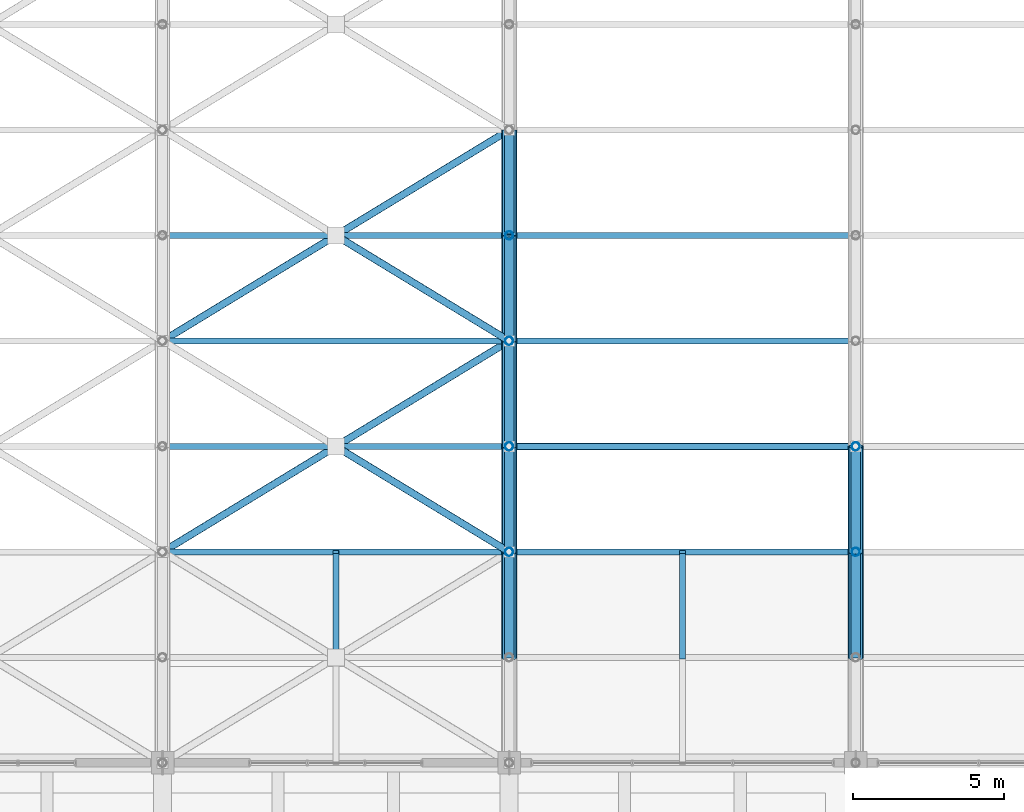
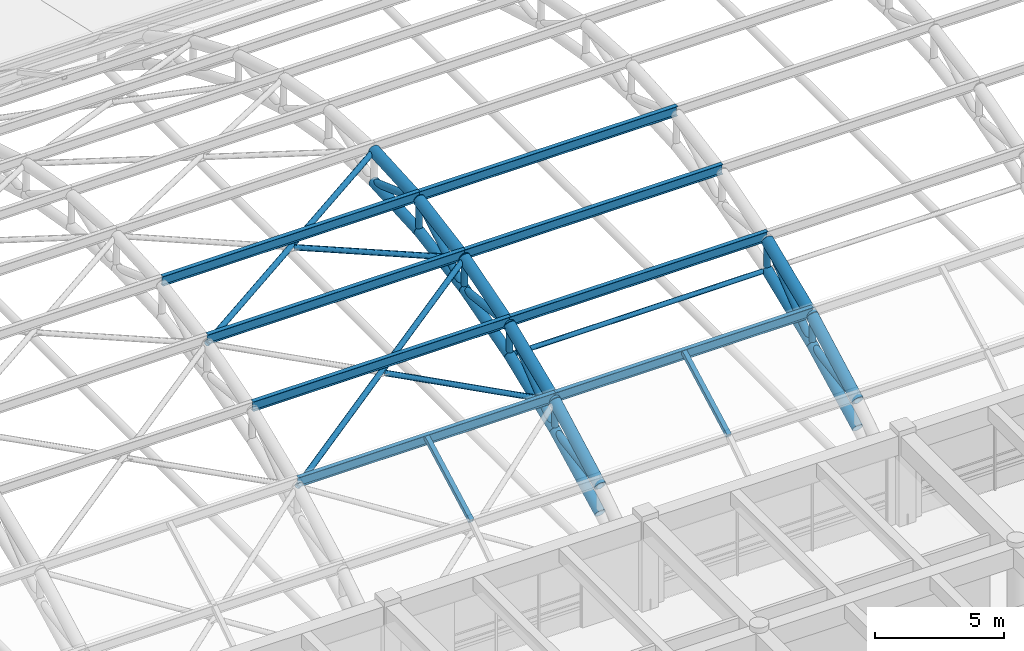
# One storey, part 57 of 154: 42 members.
"""IFC4 building model written with IfcOpenShell, lengths in metres."""

from ifc_helpers import new_model, si_unit, direction, frame, origin, origin_2d, place, context, subcontext, project, spatial, hollow_rectangle, hollow_circle, i_section, extrude, material, material_profile, profile_set, type_object, element, save


model = new_model("IFC4")

# Units and contexts
model_context = context("Model", 3, precision=1e-05, world=origin(), true_north=direction((0.0, 1.0)))
body_context = subcontext(model_context, "Body", "Model", "MODEL_VIEW")
ifc_project = project(units=[si_unit("LENGTHUNIT", "METRE"), si_unit("AREAUNIT", "SQUARE_METRE"), si_unit("VOLUMEUNIT", "CUBIC_METRE"), si_unit("PLANEANGLEUNIT", "RADIAN"), si_unit("MASSUNIT", "GRAM", prefix="KILO")], contexts=[model_context])

# Site, building, storey
site_placement = place(None, origin())
site = spatial("IfcSite", under=ifc_project, at=site_placement, CompositionType="ELEMENT")
building_placement = place(site_placement, origin())
building = spatial("IfcBuilding", under=site, at=building_placement, Name="Ologun Quay Terminus", CompositionType="ELEMENT")
storey_placement = place(building_placement, frame((0.0, 0.0, 13.800048828125)))
storey = spatial("IfcBuildingStorey", under=building, at=storey_placement, Name="L03", CompositionType="ELEMENT", Elevation=13.800048828125)

# Members
ifc_material_1 = material(Name="Steel S355", Category="steel")
ifc_material_profile_1 = material_profile(ifc_material_1, hollow_circle(Radius=0.136474609375, WallThickness=0.010009765625, at=origin_2d()), Name="CHS 273x10")
ifc_profile_set_1 = profile_set([ifc_material_profile_1], Name="Steel S355")
member_type_1 = type_object("IfcMemberType", Name="Arch Truss Vertical Post CHS273", PredefinedType="STRUT", material=ifc_profile_set_1)
member_1_placement = place(storey_placement, frame((103.5, 43.0, 4.022216796875), z_axis=(0.0, 0.0, 1.0), x_axis=(1.0, 0.0, 0.0)))
element("IfcMember", 1, at=member_1_placement, inside=storey, type_object=member_type_1, Name="AW2 Arch Web Post 10-N2", PredefinedType="STRUT", context=body_context, shape_type="SweptSolid", body=[
    extrude(hollow_circle(Radius=0.136474609375, WallThickness=0.010009765625, at=origin_2d()), origin(), (0.0, 0.0, 1.0), 1.35546875),
])
member_2_placement = place(storey_placement, frame((103.5, 46.5, 5.429931640625), z_axis=(0.0, 0.0, 1.0), x_axis=(1.0, 0.0, 0.0)))
element("IfcMember", 2, at=member_2_placement, inside=storey, type_object=member_type_1, Name="AW2 Arch Web Post 10-N3", PredefinedType="STRUT", context=body_context, shape_type="SweptSolid", body=[
    extrude(hollow_circle(Radius=0.136474609375, WallThickness=0.010009765625, at=origin_2d()), origin(), (0.0, 0.0, 1.0), 1.409912109375),
])
member_3_placement = place(storey_placement, frame((103.5, 50.0, 6.435546875), z_axis=(0.0, 0.0, 1.0), x_axis=(1.0, 0.0, 0.0)))
element("IfcMember", 3, at=member_3_placement, inside=storey, type_object=member_type_1, Name="AW2 Arch Web Post 10-N4", PredefinedType="STRUT", context=body_context, shape_type="SweptSolid", body=[
    extrude(hollow_circle(Radius=0.136474609375, WallThickness=0.010009765625, at=origin_2d()), origin(), (0.0, 0.0, 1.0), 1.44873046875),
])
member_4_placement = place(storey_placement, frame((103.5, 53.5, 7.038818359375), z_axis=(0.0, 0.0, 1.0), x_axis=(1.0, 0.0, 0.0)))
element("IfcMember", 4, at=member_4_placement, inside=storey, type_object=member_type_1, Name="AW2 Arch Web Post 10-N5", PredefinedType="STRUT", context=body_context, shape_type="SweptSolid", body=[
    extrude(hollow_circle(Radius=0.136474609375, WallThickness=0.010009765625, at=origin_2d()), origin(), (0.0, 0.0, 1.0), 1.47216796875),
])
member_5_placement = place(storey_placement, frame((115.0, 43.0, 4.022216796875), z_axis=(0.0, 0.0, 1.0), x_axis=(1.0, 0.0, 0.0)))
element("IfcMember", 5, at=member_5_placement, inside=storey, type_object=member_type_1, Name="AW2 Arch Web Post 11-N2", PredefinedType="STRUT", context=body_context, shape_type="SweptSolid", body=[
    extrude(hollow_circle(Radius=0.136474609375, WallThickness=0.010009765625, at=origin_2d()), origin(), (0.0, 0.0, 1.0), 1.35546875),
])
member_6_placement = place(storey_placement, frame((115.0, 46.5, 5.429931640625), z_axis=(0.0, 0.0, 1.0), x_axis=(1.0, 0.0, 0.0)))
element("IfcMember", 6, at=member_6_placement, inside=storey, type_object=member_type_1, Name="AW2 Arch Web Post 11-N3", PredefinedType="STRUT", context=body_context, shape_type="SweptSolid", body=[
    extrude(hollow_circle(Radius=0.136474609375, WallThickness=0.010009765625, at=origin_2d()), origin(), (0.0, 0.0, 1.0), 1.409912109375),
])
ifc_material_2 = material(Name="Steel S355", Category="steel")
ifc_material_profile_2 = material_profile(ifc_material_2, hollow_circle(Radius=0.161865234375, WallThickness=0.010009765625, at=origin_2d()), Name="CHS 323.9x10")
ifc_profile_set_2 = profile_set([ifc_material_profile_2], Name="Steel S355")
member_type_2 = type_object("IfcMemberType", Name="Arch Truss Web Diagonal CHS323", PredefinedType="BRACE", material=ifc_profile_set_2)
member_7_placement = place(storey_placement, frame((103.5, 39.5, 3.497802734375), z_axis=(0.0, 0.988960627525, 0.148178531524), x_axis=(-1.0, 0.0, 0.0)))
element("IfcMember", 7, at=member_7_placement, inside=storey, type_object=member_type_2, Name="AW1 Arch Web Diagonal 10-P2", PredefinedType="BRACE", context=body_context, shape_type="SweptSolid", body=[
    extrude(hollow_circle(Radius=0.161865234375, WallThickness=0.010009765625, at=origin_2d()), origin(), (0.0, 0.0, 1.0), 3.5390625),
])
member_8_placement = place(storey_placement, frame((103.5, 43.0, 4.022216796875), z_axis=(0.0, 0.77895148125, 0.627084196785), x_axis=(-1.0, 0.0, 0.0)))
element("IfcMember", 8, at=member_8_placement, inside=storey, type_object=member_type_2, Name="AW1 Arch Web Diagonal 10-P3", PredefinedType="BRACE", context=body_context, shape_type="SweptSolid", body=[
    extrude(hollow_circle(Radius=0.161865234375, WallThickness=0.010009765625, at=origin_2d()), origin(), (0.0, 0.0, 1.0), 4.4931640625),
])
member_9_placement = place(storey_placement, frame((103.5, 46.5, 6.83984375), z_axis=(0.0, 0.993394361, -0.114750353084), x_axis=(-1.0, 0.0, 0.0)))
element("IfcMember", 9, at=member_9_placement, inside=storey, type_object=member_type_2, Name="AW1 Arch Web Diagonal 10-P4", PredefinedType="BRACE", context=body_context, shape_type="SweptSolid", body=[
    extrude(hollow_circle(Radius=0.161865234375, WallThickness=0.010009765625, at=origin_2d()), origin(), (0.0, 0.0, 1.0), 3.523193359375),
])
member_10_placement = place(storey_placement, frame((103.5, 50.0, 6.435546875), z_axis=(0.0, 0.860144332958, 0.510050709715), x_axis=(-1.0, 0.0, 0.0)))
element("IfcMember", 10, at=member_10_placement, inside=storey, type_object=member_type_2, Name="AW1 Arch Web Diagonal 10-P5", PredefinedType="BRACE", context=body_context, shape_type="SweptSolid", body=[
    extrude(hollow_circle(Radius=0.161865234375, WallThickness=0.010009765625, at=origin_2d()), origin(), (0.0, 0.0, 1.0), 4.069091796875),
])
member_11_placement = place(storey_placement, frame((103.5, 53.5, 8.510986328125), z_axis=(0.0, 0.939942650142, -0.34133241048), x_axis=(-1.0, 0.0, 0.0)))
element("IfcMember", 11, at=member_11_placement, inside=storey, type_object=member_type_2, Name="AW1 Arch Web Diagonal 10-P6", PredefinedType="BRACE", context=body_context, shape_type="SweptSolid", body=[
    extrude(hollow_circle(Radius=0.161865234375, WallThickness=0.010009765625, at=origin_2d()), origin(), (0.0, 0.0, 1.0), 3.7236328125),
])
member_12_placement = place(storey_placement, frame((115.0, 39.5, 3.497802734375), z_axis=(0.0, 0.988960627525, 0.148178531524), x_axis=(-1.0, 0.0, 0.0)))
element("IfcMember", 12, at=member_12_placement, inside=storey, type_object=member_type_2, Name="AW1 Arch Web Diagonal 11-P2", PredefinedType="BRACE", context=body_context, shape_type="SweptSolid", body=[
    extrude(hollow_circle(Radius=0.161865234375, WallThickness=0.010009765625, at=origin_2d()), origin(), (0.0, 0.0, 1.0), 3.5390625),
])
member_13_placement = place(storey_placement, frame((115.0, 43.0, 4.022216796875), z_axis=(0.0, 0.77895148125, 0.627084196785), x_axis=(-1.0, 0.0, 0.0)))
element("IfcMember", 13, at=member_13_placement, inside=storey, type_object=member_type_2, Name="AW1 Arch Web Diagonal 11-P3", PredefinedType="BRACE", context=body_context, shape_type="SweptSolid", body=[
    extrude(hollow_circle(Radius=0.161865234375, WallThickness=0.010009765625, at=origin_2d()), origin(), (0.0, 0.0, 1.0), 4.4931640625),
])
ifc_material_3 = material(Name="Steel S355", Category="steel")
ifc_material_profile_3 = material_profile(ifc_material_3, hollow_circle(Radius=0.228515625, WallThickness=0.01611328125, at=origin_2d()), Name="CHS 457x16")
ifc_profile_set_3 = profile_set([ifc_material_profile_3], Name="Steel S355")
member_type_3 = type_object("IfcMemberType", Name="Parabolic Arch Bottom Chord CHS457", PredefinedType="CHORD", material=ifc_profile_set_3)
member_14_placement = place(storey_placement, frame((103.5, 39.5, 2.212158203125), z_axis=(0.0, 0.888247284083, 0.459365608551), x_axis=(-1.0, 0.0, 0.0)))
element("IfcMember", 14, at=member_14_placement, inside=storey, type_object=member_type_3, Name="AC2 Arch Bottom Chord 10-P2", PredefinedType="CHORD", context=body_context, shape_type="SweptSolid", body=[
    extrude(hollow_circle(Radius=0.228515625, WallThickness=0.01611328125, at=origin_2d()), origin(), (0.0, 0.0, 1.0), 3.9404296875),
])
member_15_placement = place(storey_placement, frame((103.5, 43.0, 4.022216796875), z_axis=(0.0, 0.92776983497, 0.373152962363), x_axis=(-1.0, 0.0, 0.0)))
element("IfcMember", 15, at=member_15_placement, inside=storey, type_object=member_type_3, Name="AC2 Arch Bottom Chord 10-P3", PredefinedType="CHORD", context=body_context, shape_type="SweptSolid", body=[
    extrude(hollow_circle(Radius=0.228515625, WallThickness=0.01611328125, at=origin_2d()), origin(), (0.0, 0.0, 1.0), 3.7724609375),
])
member_16_placement = place(storey_placement, frame((103.5, 46.5, 5.429931640625), z_axis=(0.0, 0.961115578425, 0.276146419331), x_axis=(-1.0, 0.0, 0.0)))
element("IfcMember", 16, at=member_16_placement, inside=storey, type_object=member_type_3, Name="AC2 Arch Bottom Chord 10-P4", PredefinedType="CHORD", context=body_context, shape_type="SweptSolid", body=[
    extrude(hollow_circle(Radius=0.228515625, WallThickness=0.01611328125, at=origin_2d()), origin(), (0.0, 0.0, 1.0), 3.6416015625),
])
member_17_placement = place(storey_placement, frame((103.5, 50.0, 6.435546875), z_axis=(0.0, 0.985468449185, 0.16985857547), x_axis=(-1.0, 0.0, 0.0)))
element("IfcMember", 17, at=member_17_placement, inside=storey, type_object=member_type_3, Name="AC2 Arch Bottom Chord 10-P5", PredefinedType="CHORD", context=body_context, shape_type="SweptSolid", body=[
    extrude(hollow_circle(Radius=0.228515625, WallThickness=0.01611328125, at=origin_2d()), origin(), (0.0, 0.0, 1.0), 3.551513671875),
])
member_18_placement = place(storey_placement, frame((103.5, 53.5, 7.038818359375), z_axis=(0.0, 0.998352239869, 0.057382969144), x_axis=(-1.0, 0.0, 0.0)))
element("IfcMember", 18, at=member_18_placement, inside=storey, type_object=member_type_3, Name="AC2 Arch Bottom Chord 10-P6", PredefinedType="CHORD", context=body_context, shape_type="SweptSolid", body=[
    extrude(hollow_circle(Radius=0.228515625, WallThickness=0.01611328125, at=origin_2d()), origin(), (0.0, 0.0, 1.0), 3.505859375),
])
member_19_placement = place(storey_placement, frame((115.0, 39.5, 2.212158203125), z_axis=(0.0, 0.888247284083, 0.459365608551), x_axis=(-1.0, 0.0, 0.0)))
element("IfcMember", 19, at=member_19_placement, inside=storey, type_object=member_type_3, Name="AC2 Arch Bottom Chord 11-P2", PredefinedType="CHORD", context=body_context, shape_type="SweptSolid", body=[
    extrude(hollow_circle(Radius=0.228515625, WallThickness=0.01611328125, at=origin_2d()), origin(), (0.0, 0.0, 1.0), 3.9404296875),
])
member_20_placement = place(storey_placement, frame((115.0, 43.0, 4.022216796875), z_axis=(0.0, 0.92776983497, 0.373152962363), x_axis=(-1.0, 0.0, 0.0)))
element("IfcMember", 20, at=member_20_placement, inside=storey, type_object=member_type_3, Name="AC2 Arch Bottom Chord 11-P3", PredefinedType="CHORD", context=body_context, shape_type="SweptSolid", body=[
    extrude(hollow_circle(Radius=0.228515625, WallThickness=0.01611328125, at=origin_2d()), origin(), (0.0, 0.0, 1.0), 3.7724609375),
])
ifc_material_4 = material(Name="Steel S355", Category="steel")
ifc_material_profile_4 = material_profile(ifc_material_4, hollow_circle(Radius=0.25390625, WallThickness=0.01611328125, at=origin_2d()), Name="CHS 508x16")
ifc_profile_set_4 = profile_set([ifc_material_profile_4], Name="Steel S355")
member_type_4 = type_object("IfcMemberType", Name="Parabolic Arch Top Chord CHS508", PredefinedType="CHORD", material=ifc_profile_set_4)
member_21_placement = place(storey_placement, frame((103.5, 39.5, 3.497802734375), z_axis=(0.0, 0.880967864924, 0.473176099324), x_axis=(-1.0, 0.0, 0.0)))
element("IfcMember", 21, at=member_21_placement, inside=storey, type_object=member_type_4, Name="Arch Top Chord 10-P2", PredefinedType="CHORD", context=body_context, shape_type="SweptSolid", body=[
    extrude(hollow_circle(Radius=0.25390625, WallThickness=0.01611328125, at=origin_2d()), origin(), (0.0, 0.0, 1.0), 3.972900390625),
])
member_22_placement = place(storey_placement, frame((103.5, 43.0, 5.377685546875), z_axis=(0.0, 0.922718523726, 0.385474416755), x_axis=(-1.0, 0.0, 0.0)))
element("IfcMember", 22, at=member_22_placement, inside=storey, type_object=member_type_4, Name="Arch Top Chord 10-P3", PredefinedType="CHORD", context=body_context, shape_type="SweptSolid", body=[
    extrude(hollow_circle(Radius=0.25390625, WallThickness=0.01611328125, at=origin_2d()), origin(), (0.0, 0.0, 1.0), 3.793212890625),
])
member_23_placement = place(storey_placement, frame((103.5, 46.5, 6.83984375), z_axis=(0.0, 0.958244712677, 0.285949419701), x_axis=(-1.0, 0.0, 0.0)))
element("IfcMember", 23, at=member_23_placement, inside=storey, type_object=member_type_4, Name="Arch Top Chord 10-P4", PredefinedType="CHORD", context=body_context, shape_type="SweptSolid", body=[
    extrude(hollow_circle(Radius=0.25390625, WallThickness=0.01611328125, at=origin_2d()), origin(), (0.0, 0.0, 1.0), 3.652587890625),
])
member_24_placement = place(storey_placement, frame((103.5, 50.0, 7.88427734375), z_axis=(0.0, 0.984344289591, 0.176256402859), x_axis=(-1.0, 0.0, 0.0)))
element("IfcMember", 24, at=member_24_placement, inside=storey, type_object=member_type_4, Name="Arch Top Chord 10-P5", PredefinedType="CHORD", context=body_context, shape_type="SweptSolid", body=[
    extrude(hollow_circle(Radius=0.25390625, WallThickness=0.01611328125, at=origin_2d()), origin(), (0.0, 0.0, 1.0), 3.5556640625),
])
member_25_placement = place(storey_placement, frame((103.5, 53.5, 8.510986328125), z_axis=(0.0, 0.998222121157, 0.0596036646), x_axis=(-1.0, 0.0, 0.0)))
element("IfcMember", 25, at=member_25_placement, inside=storey, type_object=member_type_4, Name="Arch Top Chord 10-P6", PredefinedType="CHORD", context=body_context, shape_type="SweptSolid", body=[
    extrude(hollow_circle(Radius=0.25390625, WallThickness=0.01611328125, at=origin_2d()), origin(), (0.0, 0.0, 1.0), 3.50634765625),
])
member_26_placement = place(storey_placement, frame((115.0, 39.5, 3.497802734375), z_axis=(0.0, 0.880967864924, 0.473176099324), x_axis=(-1.0, 0.0, 0.0)))
element("IfcMember", 26, at=member_26_placement, inside=storey, type_object=member_type_4, Name="Arch Top Chord 11-P2", PredefinedType="CHORD", context=body_context, shape_type="SweptSolid", body=[
    extrude(hollow_circle(Radius=0.25390625, WallThickness=0.01611328125, at=origin_2d()), origin(), (0.0, 0.0, 1.0), 3.972900390625),
])
member_27_placement = place(storey_placement, frame((115.0, 43.0, 5.377685546875), z_axis=(0.0, 0.922718523726, 0.385474416755), x_axis=(-1.0, 0.0, 0.0)))
element("IfcMember", 27, at=member_27_placement, inside=storey, type_object=member_type_4, Name="Arch Top Chord 11-P3", PredefinedType="CHORD", context=body_context, shape_type="SweptSolid", body=[
    extrude(hollow_circle(Radius=0.25390625, WallThickness=0.01611328125, at=origin_2d()), origin(), (0.0, 0.0, 1.0), 3.793212890625),
])
ifc_material_5 = material(Name="Steel S355", Category="steel")
ifc_material_profile_5 = material_profile(ifc_material_5, hollow_circle(Radius=0.109619140625, WallThickness=0.008056640625, at=origin_2d()), Name="CHS 219.1x8")
ifc_profile_set_5 = profile_set([ifc_material_profile_5], Name="Steel S355")
member_type_5 = type_object("IfcMemberType", Name="Roof Plan Wind Brace Collector CHS219", PredefinedType="STRUT", material=ifc_profile_set_5)
member_28_placement = place(storey_placement, frame((103.5, 46.5, 5.429931640625), z_axis=(1.0, 0.0, 0.0), x_axis=(0.0, 1.0, 0.0)))
element("IfcMember", 28, at=member_28_placement, inside=storey, type_object=member_type_5, Name="WB2 Collector Strut B10-K3", PredefinedType="STRUT", context=body_context, shape_type="SweptSolid", body=[
    extrude(hollow_circle(Radius=0.109619140625, WallThickness=0.008056640625, at=origin_2d()), origin(), (0.0, 0.0, 1.0), 11.5),
])
ifc_material_6 = material(Name="Steel S355", Category="steel")
ifc_material_profile_6 = material_profile(ifc_material_6, hollow_circle(Radius=0.122314453125, WallThickness=0.008056640625, at=origin_2d()), Name="CHS 244.5x8")
ifc_profile_set_6 = profile_set([ifc_material_profile_6], Name="Steel S355")
member_type_6 = type_object("IfcMemberType", Name="Roof Plan Wind Brace Primary CHS244", PredefinedType="BRACE", material=ifc_profile_set_6)
member_29_placement = place(storey_placement, frame((92.0, 43.0, 5.377685546875), z_axis=(0.83976735311, 0.511162736676, 0.18303947466), x_axis=(-0.519946946896, 0.854198555614, 0.0)))
element("IfcMember", 29, at=member_29_placement, inside=storey, type_object=member_type_6, Name="Roof Wind Brace A B9-K2", PredefinedType="BRACE", context=body_context, shape_type="SweptSolid", body=[
    extrude(hollow_circle(Radius=0.122314453125, WallThickness=0.008056640625, at=origin_2d()), origin(), (0.0, 0.0, 1.0), 13.6943359375),
])
member_30_placement = place(storey_placement, frame((97.86767578125, 46.428466796875, 6.60546875), z_axis=(0.839758111636, -0.51117135508, -0.183057804223), x_axis=(0.519957518446, 0.854192120668, 0.0)))
element("IfcMember", 30, at=member_30_placement, inside=storey, type_object=member_type_6, Name="Roof Wind Brace B2 B9-K2", PredefinedType="BRACE", context=body_context, shape_type="SweptSolid", body=[
    extrude(hollow_circle(Radius=0.122314453125, WallThickness=0.008056640625, at=origin_2d()), origin(), (0.0, 0.0, 1.0), 6.70703125),
])
member_31_placement = place(storey_placement, frame((92.0, 50.0, 7.88427734375), z_axis=(0.852557618704, 0.518948115733, 0.061954499168), x_axis=(-0.519946946896, 0.854198555614, 0.0)))
element("IfcMember", 31, at=member_31_placement, inside=storey, type_object=member_type_6, Name="Roof Wind Brace A B9-K4", PredefinedType="BRACE", context=body_context, shape_type="SweptSolid", body=[
    extrude(hollow_circle(Radius=0.122314453125, WallThickness=0.008056640625, at=origin_2d()), origin(), (0.0, 0.0, 1.0), 13.48876953125),
])
member_32_placement = place(storey_placement, frame((97.869384765625, 53.42724609375, 8.29345703125), z_axis=(0.852563238847, -0.518938678703, -0.061956206405), x_axis=(0.51993754691, 0.854204277274, 0.0)))
element("IfcMember", 32, at=member_32_placement, inside=storey, type_object=member_type_6, Name="Roof Wind Brace B2 B9-K4", PredefinedType="BRACE", context=body_context, shape_type="SweptSolid", body=[
    extrude(hollow_circle(Radius=0.122314453125, WallThickness=0.008056640625, at=origin_2d()), origin(), (0.0, 0.0, 1.0), 6.604248046875),
])
ifc_material_7 = material(Name="Steel S355", Category="steel")
ifc_material_profile_7 = material_profile(ifc_material_7, hollow_rectangle(XDim=0.199951171875, YDim=0.199951171875, WallThickness=0.008056640625, at=origin_2d()), Name="SHS 200x200x8")
ifc_profile_set_7 = profile_set([ifc_material_profile_7], Name="Steel S355")
member_type_7 = type_object("IfcMemberType", Name="Skylight Cross Transom Bar RHS150", PredefinedType="STRUT", material=ifc_profile_set_7)
for number, where, z_axis, x_axis, name in (
    (33, (97.75, 39.5, 3.851806640625), (0.0, 0.880967864924, 0.473176099324), (-1.0, 0.0, 0.0), "SK2 Eave Secondary Rafter B9-P2"),
    (34, (109.25, 39.5, 3.851806640625), (0.0, 0.880967864924, 0.473176099324), (-1.0, 0.0, 0.0), "SK2 Eave Secondary Rafter B10-P2"),
):
    element("IfcMember", number, at=place(storey_placement, frame(where, z_axis=z_axis, x_axis=x_axis)), inside=storey, type_object=member_type_7, Name=name, PredefinedType="STRUT", context=body_context, shape_type="SweptSolid", body=[
        extrude(hollow_rectangle(XDim=0.199951171875, YDim=0.199951171875, WallThickness=0.008056640625, at=origin_2d()), origin(), (0.0, 0.0, 1.0), 3.972900390625),
    ])
ifc_material_8 = material(Name="Steel S355", Category="steel")
ifc_material_profile_8 = material_profile(ifc_material_8, i_section(OverallWidth=0.1904296875, OverallDepth=0.45703125, WebThickness=0.009033203125, FlangeThickness=0.014404296875, at=origin_2d()), Name="UKB 457x191x74")
ifc_profile_set_8 = profile_set([ifc_material_profile_8], Name="Steel S355")
member_type_8 = type_object("IfcMemberType", Name="Train Shed Primary Roof Purlin UKB457", PredefinedType="PURLIN", material=ifc_profile_set_8)
for number, where, z_axis, x_axis, name in (
    (35, (92.0, 43.0, 5.606201171875), (1.0, 0.0, 0.0), (0.0, 1.0, 0.0), "PR1 Roof Purlin B9-N2"),
    (36, (92.0, 46.5, 7.068359375), (1.0, 0.0, 0.0), (0.0, 1.0, 0.0), "PR1 Roof Purlin B9-N3"),
    (37, (92.0, 50.0, 8.11279296875), (1.0, 0.0, 0.0), (0.0, 1.0, 0.0), "PR1 Roof Purlin B9-N4"),
    (38, (92.0, 53.5, 8.739501953125), (1.0, 0.0, 0.0), (0.0, 1.0, 0.0), "PR1 Roof Purlin B9-N5"),
    (39, (103.5, 43.0, 5.606201171875), (1.0, 0.0, 0.0), (0.0, 1.0, 0.0), "PR1 Roof Purlin B10-N2"),
    (40, (103.5, 46.5, 7.068359375), (1.0, 0.0, 0.0), (0.0, 1.0, 0.0), "PR1 Roof Purlin B10-N3"),
    (41, (103.5, 50.0, 8.11279296875), (1.0, 0.0, 0.0), (0.0, 1.0, 0.0), "PR1 Roof Purlin B10-N4"),
    (42, (103.5, 53.5, 8.739501953125), (1.0, 0.0, 0.0), (0.0, 1.0, 0.0), "PR1 Roof Purlin B10-N5"),
):
    element("IfcMember", number, at=place(storey_placement, frame(where, z_axis=z_axis, x_axis=x_axis)), inside=storey, type_object=member_type_8, Name=name, PredefinedType="PURLIN", context=body_context, shape_type="SweptSolid", body=[
        extrude(i_section(OverallWidth=0.1904296875, OverallDepth=0.45703125, WebThickness=0.009033203125, FlangeThickness=0.014404296875, at=origin_2d()), origin(), (0.0, 0.0, 1.0), 11.5),
    ])

save(model, "model.ifc")
